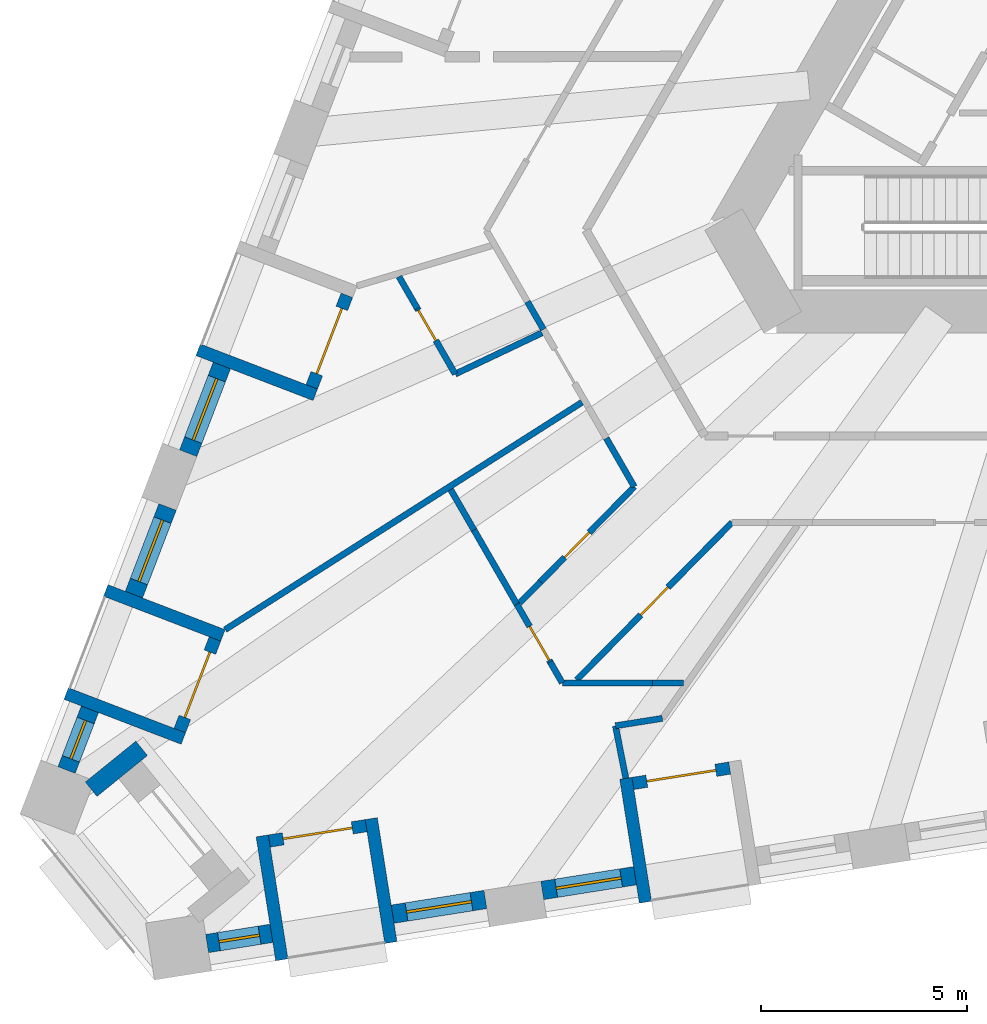
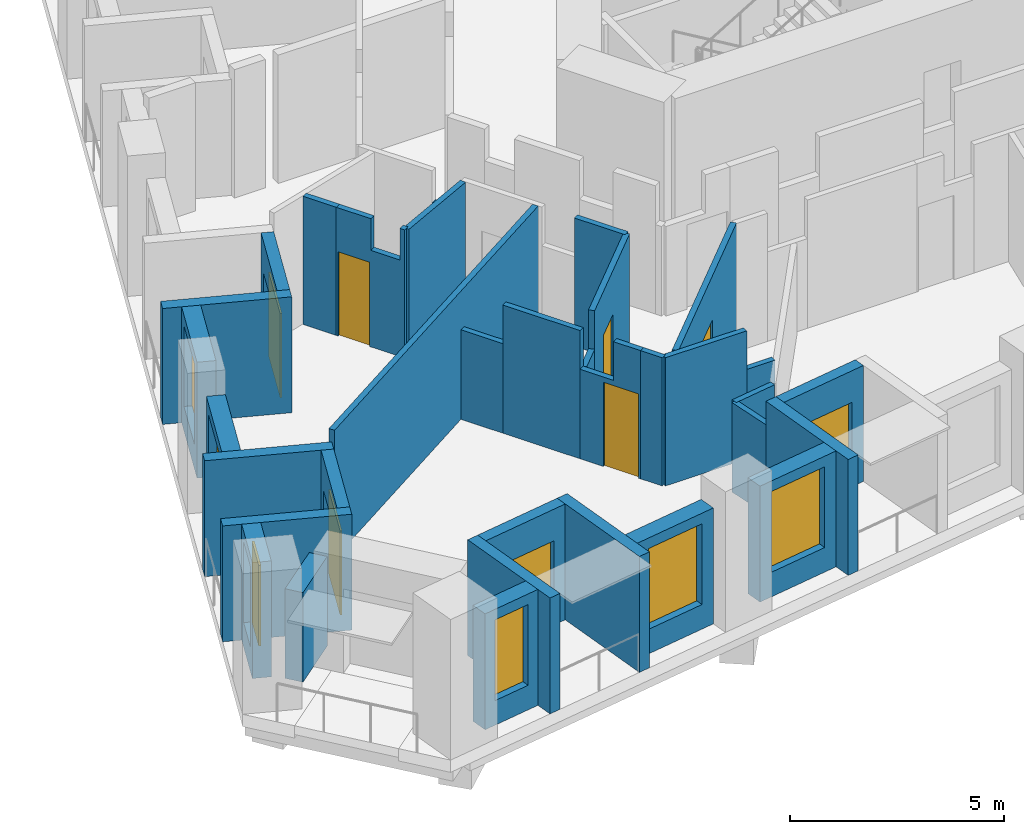
# One storey, part 2 of 14: 34 walls, 8 doors, 6 windows, 14 openings.
"""IFC4 building model written with IfcOpenShell, lengths in metres."""

from ifc_helpers import new_model, si_unit, direction, frame, frame_2d, origin, place, context, subcontext, project, spatial, polyline, rectangle, outline, extrude, material, layer, layer_set, type_object, element, fill, save


model = new_model("IFC4")

# Units and contexts
model_context = context("Model", 3, precision=1e-05, world=origin(), true_north=direction((0.0, 1.0)))
body_context = subcontext(model_context, "Body", "Model", "MODEL_VIEW")
ifc_project = project(units=[si_unit("LENGTHUNIT", "METRE"), si_unit("AREAUNIT", "SQUARE_METRE"), si_unit("VOLUMEUNIT", "CUBIC_METRE"), si_unit("PLANEANGLEUNIT", "RADIAN"), si_unit("MASSUNIT", "GRAM", prefix="KILO")], contexts=[model_context])

# Site, building, storey
site_placement = place(None, origin())
site = spatial("IfcSite", under=ifc_project, at=site_placement, CompositionType="ELEMENT")
building_placement = place(site_placement, origin())
building = spatial("IfcBuilding", under=site, at=building_placement, Name="Tramontana Tower", CompositionType="ELEMENT")
storey_placement = place(building_placement, frame((0.0, 0.0, 71.199951171875)))
storey = spatial("IfcBuildingStorey", under=building, at=storey_placement, Name="L15", CompositionType="ELEMENT", Elevation=71.199951171875)

# Wall, opening, window
ifc_material_1 = material(Name="Precast concrete 60 MPa", Category="concrete")
ifc_layer_1 = layer(ifc_material_1, 0.449951171875)
ifc_layer_set_1 = layer_set([ifc_layer_1], Name="Precast concrete 60 MPa, 450 mm")
wall_type_1 = type_object("IfcWallType", Name="EW1 Stone-faced precast wall 450", PredefinedType="SOLIDWALL", material=ifc_layer_set_1)
wall_1_placement = place(storey_placement, frame((-21.986083984375, -7.536376953125, 0.0), z_axis=(0.0, 0.0, 1.0), x_axis=(-0.358355550725, -0.933585185864, 0.0)))
wall_1 = element("IfcWall", 1, at=wall_1_placement, inside=storey, type_object=wall_type_1, Name="External wall L15 face 0 bay 5", PredefinedType="SOLIDWALL", context=body_context, shape_type="SweptSolid", body=[
    extrude(rectangle(XDim=2.282958984375, YDim=0.449951171875, at=frame_2d((1.1416015625, 0.0))), origin(), (0.0, 0.0, 1.0), 3.300048828125),
])
opening_1_placement = place(wall_1_placement, frame((0.341552734375, 0.0, 0.699951171875)))
opening_1 = element("IfcOpeningElement", 2, at=opening_1_placement, cuts=wall_1, Name="Opening M1", PredefinedType="OPENING", context=body_context, shape_type="SweptSolid", body=[
    extrude(rectangle(XDim=1.60009765625, YDim=2.300048828125, at=frame_2d((0.800048828125, 1.14990234375))), frame((0.0, 0.23486328125, 0.0), z_axis=(0.0, -1.0, 0.0), x_axis=(1.0, 0.0, 0.0)), (0.0, 0.0, 1.0), 0.469970703125),
])
ifc_material_2 = material(Name="Aluminum frame, double glazing unit", Category="aluminium")
window_type_1 = type_object("IfcWindowType", Name="M1 Window 1.6 x 2.3", PartitioningType="SINGLE_PANEL", PredefinedType="WINDOW", material=ifc_material_2)
window_1_placement = place(opening_1_placement, origin())
window_1 = element("IfcWindow", 3, at=window_1_placement, inside=storey, type_object=window_type_1, Name="Window M1 L15 face 0 module 15", OverallHeight=2.300048828125, OverallWidth=1.60009765625, PartitioningType="SINGLE_PANEL", PredefinedType="WINDOW", context=body_context, shape_type="SweptSolid", body=[
    extrude(rectangle(XDim=1.60009765625, YDim=2.300048828125, at=frame_2d((0.800048828125, 1.14990234375))), frame((0.0, 0.030029296875, 0.0), z_axis=(0.0, -1.0, 0.0), x_axis=(1.0, 0.0, 0.0)), (0.0, 0.0, 1.0), 0.06005859375),
])
fill(opening_1, window_1)

wall_2_placement = place(storey_placement, frame((-23.305908203125, -10.974609375, 0.0), z_axis=(0.0, 0.0, 1.0), x_axis=(-0.358355550725, -0.933585185864, 0.0)))
wall_2 = element("IfcWall", 4, at=wall_2_placement, inside=storey, type_object=wall_type_1, Name="External wall L15 face 0 bay 6", PredefinedType="SOLIDWALL", context=body_context, shape_type="SweptSolid", body=[
    extrude(rectangle(XDim=2.282958984375, YDim=0.449951171875, at=frame_2d((1.1416015625, 0.0))), origin(), (0.0, 0.0, 1.0), 3.300048828125),
])
opening_2_placement = place(wall_2_placement, frame((0.341552734375, 0.0, 0.699951171875)))
opening_2 = element("IfcOpeningElement", 5, at=opening_2_placement, cuts=wall_2, Name="Opening M1", PredefinedType="OPENING", context=body_context, shape_type="SweptSolid", body=[
    extrude(rectangle(XDim=1.60009765625, YDim=2.300048828125, at=frame_2d((0.800048828125, 1.14990234375))), frame((0.0, 0.23486328125, 0.0), z_axis=(0.0, -1.0, 0.0), x_axis=(1.0, 0.0, 0.0)), (0.0, 0.0, 1.0), 0.469970703125),
])
window_2_placement = place(opening_2_placement, origin())
window_2 = element("IfcWindow", 6, at=window_2_placement, inside=storey, type_object=window_type_1, Name="Window M1 L15 face 0 module 16", OverallHeight=2.300048828125, OverallWidth=1.60009765625, PartitioningType="SINGLE_PANEL", PredefinedType="WINDOW", context=body_context, shape_type="SweptSolid", body=[
    extrude(rectangle(XDim=1.60009765625, YDim=2.300048828125, at=frame_2d((0.800048828125, 1.14990234375))), frame((0.0, 0.030029296875, 0.0), z_axis=(0.0, -1.0, 0.0), x_axis=(1.0, 0.0, 0.0)), (0.0, 0.0, 1.0), 0.06005859375),
])
fill(opening_2, window_2)

wall_3_placement = place(storey_placement, frame((-25.193115234375, -15.890869140625, 0.0), z_axis=(0.0, 0.0, 1.0), x_axis=(-0.358431261356, -0.933556120907, 0.0)))
wall_3 = element("IfcWall", 7, at=wall_3_placement, inside=storey, type_object=wall_type_1, Name="External wall L15 face 0 bay 6", PredefinedType="SOLIDWALL", context=body_context, shape_type="SweptSolid", body=[
    extrude(rectangle(XDim=1.5830078125, YDim=0.449951171875, at=frame_2d((0.79150390625, 0.0))), origin(), (0.0, 0.0, 1.0), 3.300048828125),
])
opening_3_placement = place(wall_3_placement, frame((0.29150390625, 0.0, 0.699951171875)))
opening_3 = element("IfcOpeningElement", 8, at=opening_3_placement, cuts=wall_3, Name="Opening N1", PredefinedType="OPENING", context=body_context, shape_type="SweptSolid", body=[
    extrude(rectangle(XDim=1.0, YDim=2.300048828125, at=frame_2d((0.5, 1.14990234375))), frame((0.0, 0.23486328125, 0.0), z_axis=(0.0, -1.0, 0.0), x_axis=(1.0, 0.0, 0.0)), (0.0, 0.0, 1.0), 0.469970703125),
])
ifc_material_3 = material(Name="Aluminum frame, double glazing unit", Category="aluminium")
window_type_2 = type_object("IfcWindowType", Name="N1 Window 1 x 2.3", PartitioningType="SINGLE_PANEL", PredefinedType="WINDOW", material=ifc_material_3)
window_3_placement = place(opening_3_placement, origin())
window_3 = element("IfcWindow", 9, at=window_3_placement, inside=storey, type_object=window_type_2, Name="Window N1 L15 face 0 module 18", OverallHeight=2.300048828125, OverallWidth=1.0, PartitioningType="SINGLE_PANEL", PredefinedType="WINDOW", context=body_context, shape_type="SweptSolid", body=[
    extrude(rectangle(XDim=1.0, YDim=2.300048828125, at=frame_2d((0.5, 1.14990234375))), frame((0.0, 0.030029296875, 0.0), z_axis=(0.0, -1.0, 0.0), x_axis=(1.0, 0.0, 0.0)), (0.0, 0.0, 1.0), 0.06005859375),
])
fill(opening_3, window_3)

wall_4_placement = place(storey_placement, frame((-22.344970703125, -21.586181640625, 0.0), z_axis=(0.0, 0.0, 1.0), x_axis=(0.987695344573, 0.156390237257, 0.0)))
wall_4 = element("IfcWall", 10, at=wall_4_placement, inside=storey, type_object=wall_type_1, Name="External wall L15 face 1 bay 1", PredefinedType="SOLIDWALL", context=body_context, shape_type="SweptSolid", body=[
    extrude(rectangle(XDim=1.5830078125, YDim=0.449951171875, at=frame_2d((0.79150390625, 0.0))), origin(), (0.0, 0.0, 1.0), 3.300048828125),
])
opening_4_placement = place(wall_4_placement, frame((0.29150390625, 0.0, 0.699951171875)))
opening_4 = element("IfcOpeningElement", 11, at=opening_4_placement, cuts=wall_4, Name="Opening N1", PredefinedType="OPENING", context=body_context, shape_type="SweptSolid", body=[
    extrude(rectangle(XDim=1.0, YDim=2.300048828125, at=frame_2d((0.5, 1.14990234375))), frame((0.0, 0.23486328125, 0.0), z_axis=(0.0, -1.0, 0.0), x_axis=(1.0, 0.0, 0.0)), (0.0, 0.0, 1.0), 0.469970703125),
])
window_4_placement = place(opening_4_placement, origin())
window_4 = element("IfcWindow", 12, at=window_4_placement, inside=storey, type_object=window_type_2, Name="Window N1 L15 face 1 module 1", OverallHeight=2.300048828125, OverallWidth=1.0, PartitioningType="SINGLE_PANEL", PredefinedType="WINDOW", context=body_context, shape_type="SweptSolid", body=[
    extrude(rectangle(XDim=1.0, YDim=2.300048828125, at=frame_2d((0.5, 1.14990234375))), frame((0.0, 0.030029296875, 0.0), z_axis=(0.0, -1.0, 0.0), x_axis=(1.0, 0.0, 0.0)), (0.0, 0.0, 1.0), 0.06005859375),
])
fill(opening_4, window_4)

wall_5_placement = place(storey_placement, frame((-17.835205078125, -20.8720703125, 0.0), z_axis=(0.0, 0.0, 1.0), x_axis=(0.987685675151, 0.156451293065, 0.0)))
wall_5 = element("IfcWall", 13, at=wall_5_placement, inside=storey, type_object=wall_type_1, Name="External wall L15 face 1 bay 1", PredefinedType="SOLIDWALL", context=body_context, shape_type="SweptSolid", body=[
    extrude(rectangle(XDim=2.282958984375, YDim=0.449951171875, at=frame_2d((1.1416015625, 0.0))), origin(), (0.0, 0.0, 1.0), 3.300048828125),
])
opening_5_placement = place(wall_5_placement, frame((0.341552734375, 0.0, 0.699951171875)))
opening_5 = element("IfcOpeningElement", 14, at=opening_5_placement, cuts=wall_5, Name="Opening M1", PredefinedType="OPENING", context=body_context, shape_type="SweptSolid", body=[
    extrude(rectangle(XDim=1.60009765625, YDim=2.300048828125, at=frame_2d((0.800048828125, 1.14990234375))), frame((0.0, 0.23486328125, 0.0), z_axis=(0.0, -1.0, 0.0), x_axis=(1.0, 0.0, 0.0)), (0.0, 0.0, 1.0), 0.469970703125),
])
window_5_placement = place(opening_5_placement, origin())
window_5 = element("IfcWindow", 15, at=window_5_placement, inside=storey, type_object=window_type_1, Name="Window M1 L15 face 1 module 3", OverallHeight=2.300048828125, OverallWidth=1.60009765625, PartitioningType="SINGLE_PANEL", PredefinedType="WINDOW", context=body_context, shape_type="SweptSolid", body=[
    extrude(rectangle(XDim=1.60009765625, YDim=2.300048828125, at=frame_2d((0.800048828125, 1.14990234375))), frame((0.0, 0.030029296875, 0.0), z_axis=(0.0, -1.0, 0.0), x_axis=(1.0, 0.0, 0.0)), (0.0, 0.0, 1.0), 0.06005859375),
])
fill(opening_5, window_5)

wall_6_placement = place(storey_placement, frame((-14.19775390625, -20.2958984375, 0.0), z_axis=(0.0, 0.0, 1.0), x_axis=(0.987685675151, 0.156451293065, 0.0)))
wall_6 = element("IfcWall", 16, at=wall_6_placement, inside=storey, type_object=wall_type_1, Name="External wall L15 face 1 bay 2", PredefinedType="SOLIDWALL", context=body_context, shape_type="SweptSolid", body=[
    extrude(rectangle(XDim=2.282958984375, YDim=0.449951171875, at=frame_2d((1.1416015625, 0.0))), origin(), (0.0, 0.0, 1.0), 3.300048828125),
])
opening_6_placement = place(wall_6_placement, frame((0.341552734375, 0.0, 0.699951171875)))
opening_6 = element("IfcOpeningElement", 17, at=opening_6_placement, cuts=wall_6, Name="Opening M1", PredefinedType="OPENING", context=body_context, shape_type="SweptSolid", body=[
    extrude(rectangle(XDim=1.60009765625, YDim=2.300048828125, at=frame_2d((0.800048828125, 1.14990234375))), frame((0.0, 0.23486328125, 0.0), z_axis=(0.0, -1.0, 0.0), x_axis=(1.0, 0.0, 0.0)), (0.0, 0.0, 1.0), 0.469970703125),
])
window_6_placement = place(opening_6_placement, origin())
window_6 = element("IfcWindow", 18, at=window_6_placement, inside=storey, type_object=window_type_1, Name="Window M1 L15 face 1 module 4", OverallHeight=2.300048828125, OverallWidth=1.60009765625, PartitioningType="SINGLE_PANEL", PredefinedType="WINDOW", context=body_context, shape_type="SweptSolid", body=[
    extrude(rectangle(XDim=1.60009765625, YDim=2.300048828125, at=frame_2d((0.800048828125, 1.14990234375))), frame((0.0, 0.030029296875, 0.0), z_axis=(0.0, -1.0, 0.0), x_axis=(1.0, 0.0, 0.0)), (0.0, 0.0, 1.0), 0.06005859375),
])
fill(opening_6, window_6)

# Wall
wall_7_placement = place(storey_placement, frame((-25.162841796875, -17.835205078125, 0.0), z_axis=(0.0, 0.0, 1.0), x_axis=(0.777129655516, 0.629340526677, 0.0)))
element("IfcWall", 19, at=wall_7_placement, inside=storey, type_object=wall_type_1, Name="Corner loggia side wall L15 K11r", PredefinedType="SOLIDWALL", context=body_context, shape_type="SweptSolid", body=[
    extrude(rectangle(XDim=1.579345703125, YDim=0.449951171875, at=frame_2d((0.78955078125, 0.0))), origin(), (0.0, 0.0, 1.0), 2.550048828125),
])

# Wall, opening, door
ifc_material_4 = material(Name="Precast concrete 60 MPa", Category="concrete")
ifc_layer_2 = layer(ifc_material_4, 0.300048828125)
ifc_layer_set_2 = layer_set([ifc_layer_2], Name="LW1 Stone-faced loggia wall 300")
wall_type_2 = type_object("IfcWallType", Name="LW1 Stone-faced loggia wall 300", PredefinedType="SOLIDWALL", material=ifc_layer_set_2)
wall_8_placement = place(storey_placement, frame((-18.947265625, -5.828857421875, 0.0), z_axis=(0.0, 0.0, 1.0), x_axis=(-0.358354292693, -0.933585668757, 0.0)))
wall_8 = element("IfcWall", 20, at=wall_8_placement, inside=storey, type_object=wall_type_2, Name="Loggia wall L15 G1S0.13", PredefinedType="SOLIDWALL", context=body_context, shape_type="SweptSolid", body=[
    extrude(rectangle(XDim=2.383056640625, YDim=0.300048828125, at=frame_2d((1.19140625, 0.0))), origin(), (0.0, 0.0, 1.0), 3.300048828125),
])
opening_7_placement = place(wall_8_placement, frame((0.341552734375, 0.0, 0.0)))
opening_7 = element("IfcOpeningElement", 21, at=opening_7_placement, cuts=wall_8, Name="Opening BD-1S0-13", PredefinedType="OPENING", context=body_context, shape_type="SweptSolid", body=[
    extrude(rectangle(XDim=1.699951171875, YDim=2.39990234375, at=frame_2d((0.85009765625, 1.199951171875))), frame((0.0, 0.159912109375, 0.0), z_axis=(0.0, -1.0, 0.0), x_axis=(1.0, 0.0, 0.0)), (0.0, 0.0, 1.0), 0.320068359375),
])
ifc_material_5 = material(Name="Aluminum frame, double glazing unit", Category="aluminium")
door_type_1 = type_object("IfcDoorType", Name="BD1 Sliding door 1.7 x 2.4", OperationType="SLIDING_TO_LEFT", PredefinedType="DOOR", material=ifc_material_5)
door_1_placement = place(opening_7_placement, origin())
door_1 = element("IfcDoor", 22, at=door_1_placement, inside=storey, type_object=door_type_1, Name="Loggia door L15 G1S0.13", OperationType="SLIDING_TO_LEFT", OverallHeight=2.39990234375, OverallWidth=1.699951171875, PredefinedType="DOOR", context=body_context, shape_type="SweptSolid", body=[
    extrude(rectangle(XDim=1.699951171875, YDim=2.39990234375, at=frame_2d((0.85009765625, 1.199951171875))), frame((0.0, 0.02490234375, 0.0), z_axis=(0.0, -1.0, 0.0), x_axis=(1.0, 0.0, 0.0)), (0.0, 0.0, 1.0), 0.050048828125),
])
fill(opening_7, door_1)

# Wall
wall_9_placement = place(storey_placement, frame((-22.5625, -7.154296875, 0.0), z_axis=(0.0, 0.0, 1.0), x_axis=(0.933580593625, -0.358367514161, 0.0)))
element("IfcWall", 23, at=wall_9_placement, inside=storey, type_object=wall_type_2, Name="Loggia return L15 G1S0.13b", PredefinedType="SOLIDWALL", context=body_context, shape_type="SweptSolid", body=[
    extrude(rectangle(XDim=3.050048828125, YDim=0.300048828125, at=frame_2d((1.52490234375, 0.0))), origin(), (0.0, 0.0, 1.0), 3.300048828125),
])

# Wall, opening, door
wall_10_placement = place(storey_placement, frame((-22.154296875, -14.18359375, 0.0), z_axis=(0.0, 0.0, 1.0), x_axis=(-0.35838856932, -0.933572511046, 0.0)))
wall_10 = element("IfcWall", 24, at=wall_10_placement, inside=storey, type_object=wall_type_2, Name="Loggia wall L15 G1S0.16", PredefinedType="SOLIDWALL", context=body_context, shape_type="SweptSolid", body=[
    extrude(rectangle(XDim=2.3828125, YDim=0.300048828125, at=frame_2d((1.19140625, 0.0))), origin(), (0.0, 0.0, 1.0), 3.300048828125),
])
opening_8_placement = place(wall_10_placement, frame((0.341552734375, 0.0, 0.0)))
opening_8 = element("IfcOpeningElement", 25, at=opening_8_placement, cuts=wall_10, Name="Opening BD-1S0-16", PredefinedType="OPENING", context=body_context, shape_type="SweptSolid", body=[
    extrude(rectangle(XDim=1.699951171875, YDim=2.39990234375, at=frame_2d((0.85009765625, 1.199951171875))), frame((0.0, 0.159912109375, 0.0), z_axis=(0.0, -1.0, 0.0), x_axis=(1.0, 0.0, 0.0)), (0.0, 0.0, 1.0), 0.320068359375),
])
door_2_placement = place(opening_8_placement, origin())
door_2 = element("IfcDoor", 26, at=door_2_placement, inside=storey, type_object=door_type_1, Name="Loggia door L15 G1S0.16", OperationType="SLIDING_TO_LEFT", OverallHeight=2.39990234375, OverallWidth=1.699951171875, PredefinedType="DOOR", context=body_context, shape_type="SweptSolid", body=[
    extrude(rectangle(XDim=1.699951171875, YDim=2.39990234375, at=frame_2d((0.85009765625, 1.199951171875))), frame((0.0, 0.02490234375, 0.0), z_axis=(0.0, -1.0, 0.0), x_axis=(1.0, 0.0, 0.0)), (0.0, 0.0, 1.0), 0.050048828125),
])
fill(opening_8, door_2)

# Walls
for number, where, z_axis, x_axis, name in (
    (27, (-24.80810546875, -13.004150390625, 0.0), (0.0, 0.0, 1.0), (0.933580593625, -0.358367514161, 0.0), "Loggia return L15 G1S0.16a"),
    (28, (-25.76953125, -15.509033203125, 0.0), (0.0, 0.0, 1.0), (0.933580593625, -0.358367514161, 0.0), "Loggia return L15 G1S0.16b"),
):
    element("IfcWall", number, at=place(storey_placement, frame(where, z_axis=z_axis, x_axis=x_axis)), inside=storey, type_object=wall_type_2, Name=name, PredefinedType="SOLIDWALL", context=body_context, shape_type="SweptSolid", body=[
        extrude(rectangle(XDim=3.050048828125, YDim=0.300048828125, at=frame_2d((1.52490234375, 0.0))), origin(), (0.0, 0.0, 1.0), 3.300048828125),
    ])

# Wall, opening, door
wall_11_placement = place(storey_placement, frame((-20.833251953125, -19.09423828125, 0.0), z_axis=(0.0, 0.0, 1.0), x_axis=(0.987685586014, 0.156451855793, 0.0)))
wall_11 = element("IfcWall", 29, at=wall_11_placement, inside=storey, type_object=wall_type_2, Name="Loggia wall L15 G1S1.1", PredefinedType="SOLIDWALL", context=body_context, shape_type="SweptSolid", body=[
    extrude(rectangle(XDim=2.3828125, YDim=0.300048828125, at=frame_2d((1.19140625, 0.0))), origin(), (0.0, 0.0, 1.0), 3.300048828125),
])
opening_9_placement = place(wall_11_placement, frame((0.341552734375, 0.0, 0.0)))
opening_9 = element("IfcOpeningElement", 30, at=opening_9_placement, cuts=wall_11, Name="Opening BD-1S1-01", PredefinedType="OPENING", context=body_context, shape_type="SweptSolid", body=[
    extrude(rectangle(XDim=1.699951171875, YDim=2.39990234375, at=frame_2d((0.85009765625, 1.199951171875))), frame((0.0, 0.159912109375, 0.0), z_axis=(0.0, -1.0, 0.0), x_axis=(1.0, 0.0, 0.0)), (0.0, 0.0, 1.0), 0.320068359375),
])
door_3_placement = place(opening_9_placement, origin())
door_3 = element("IfcDoor", 31, at=door_3_placement, inside=storey, type_object=door_type_1, Name="Loggia door L15 G1S1.1", OperationType="SLIDING_TO_LEFT", OverallHeight=2.39990234375, OverallWidth=1.699951171875, PredefinedType="DOOR", context=body_context, shape_type="SweptSolid", body=[
    extrude(rectangle(XDim=1.699951171875, YDim=2.39990234375, at=frame_2d((0.85009765625, 1.199951171875))), frame((0.0, 0.02490234375, 0.0), z_axis=(0.0, -1.0, 0.0), x_axis=(1.0, 0.0, 0.0)), (0.0, 0.0, 1.0), 0.050048828125),
])
fill(opening_9, door_3)

# Walls
for number, where, z_axis, x_axis, name in (
    (32, (-20.52783203125, -21.98193359375, 0.0), (0.0, 0.0, 1.0), (-0.156410600741, 0.987692120033, 0.0), "Loggia return L15 G1S1.1a"),
    (33, (-17.8779296875, -21.562255859375, 0.0), (0.0, 0.0, 1.0), (-0.156410600741, 0.987692120033, 0.0), "Loggia return L15 G1S1.1b"),
):
    element("IfcWall", number, at=place(storey_placement, frame(where, z_axis=z_axis, x_axis=x_axis)), inside=storey, type_object=wall_type_2, Name=name, PredefinedType="SOLIDWALL", context=body_context, shape_type="SweptSolid", body=[
        extrude(rectangle(XDim=3.050048828125, YDim=0.300048828125, at=frame_2d((1.52490234375, 0.0))), origin(), (0.0, 0.0, 1.0), 3.300048828125),
    ])

# Wall, opening, door
wall_12_placement = place(storey_placement, frame((-11.99462890625, -17.694091796875, 0.0), z_axis=(0.0, 0.0, 1.0), x_axis=(0.98770391772, 0.156336083232, 0.0)))
wall_12 = element("IfcWall", 34, at=wall_12_placement, inside=storey, type_object=wall_type_2, Name="Loggia wall L15 G1S1.4", PredefinedType="SOLIDWALL", context=body_context, shape_type="SweptSolid", body=[
    extrude(rectangle(XDim=2.383056640625, YDim=0.300048828125, at=frame_2d((1.19140625, 0.0))), origin(), (0.0, 0.0, 1.0), 3.300048828125),
])
opening_10_placement = place(wall_12_placement, frame((0.341552734375, 0.0, 0.0)))
opening_10 = element("IfcOpeningElement", 35, at=opening_10_placement, cuts=wall_12, Name="Opening BD-1S1-04", PredefinedType="OPENING", context=body_context, shape_type="SweptSolid", body=[
    extrude(rectangle(XDim=1.699951171875, YDim=2.39990234375, at=frame_2d((0.85009765625, 1.199951171875))), frame((0.0, 0.159912109375, 0.0), z_axis=(0.0, -1.0, 0.0), x_axis=(1.0, 0.0, 0.0)), (0.0, 0.0, 1.0), 0.320068359375),
])
door_4_placement = place(opening_10_placement, origin())
door_4 = element("IfcDoor", 36, at=door_4_placement, inside=storey, type_object=door_type_1, Name="Loggia door L15 G1S1.4", OperationType="SLIDING_TO_LEFT", OverallHeight=2.39990234375, OverallWidth=1.699951171875, PredefinedType="DOOR", context=body_context, shape_type="SweptSolid", body=[
    extrude(rectangle(XDim=1.699951171875, YDim=2.39990234375, at=frame_2d((0.85009765625, 1.199951171875))), frame((0.0, 0.02490234375, 0.0), z_axis=(0.0, -1.0, 0.0), x_axis=(1.0, 0.0, 0.0)), (0.0, 0.0, 1.0), 0.050048828125),
])
fill(opening_10, door_4)

# Walls
wall_13_placement = place(storey_placement, frame((-11.68896484375, -20.58203125, 0.0), z_axis=(0.0, 0.0, 1.0), x_axis=(-0.156488687365, 0.987679751097, 0.0)))
element("IfcWall", 37, at=wall_13_placement, inside=storey, type_object=wall_type_2, Name="Loggia return L15 G1S1.4a", PredefinedType="SOLIDWALL", context=body_context, shape_type="SweptSolid", body=[
    extrude(rectangle(XDim=3.050048828125, YDim=0.300048828125, at=frame_2d((1.52490234375, 0.0))), origin(), (0.0, 0.0, 1.0), 3.300048828125),
])
ifc_material_6 = material(Name="Gypsum board partition")
ifc_layer_3 = layer(ifc_material_6, 0.14990234375)
ifc_layer_set_3 = layer_set([ifc_layer_3], Name="PARTITION 150")
wall_type_3 = type_object("IfcWallType", Name="PARTITION 150", PredefinedType="PARTITIONING", material=ifc_layer_set_3)
wall_14_placement = place(storey_placement, frame((-21.90673828125, -13.95703125, 0.0), z_axis=(0.0, 0.0, 1.0), x_axis=(0.843381833226, 0.537314696789, 0.0)))
element("IfcWall", 38, at=wall_14_placement, inside=storey, type_object=wall_type_3, Name="Wall v11-pw00", PredefinedType="PARTITIONING", context=body_context, shape_type="SweptSolid", body=[
    extrude(rectangle(XDim=10.28515625, YDim=0.14990234375, at=frame_2d((5.142578125, 0.0))), origin(), (0.0, 0.0, 1.0), 3.650146484375),
])

# Wall, opening, door
wall_15_placement = place(storey_placement, frame((-17.23486328125, -6.1484375, 0.0), z_axis=(0.0, 0.0, 1.0), x_axis=(0.500001589341, -0.866024486176, 0.0)))
wall_15 = element("IfcWall", 39, at=wall_15_placement, inside=storey, type_object=wall_type_3, Name="Wall v11-pw03-0", PredefinedType="PARTITIONING", context=body_context, shape_type="SweptSolid", body=[
    extrude(outline(polyline([(0.0, 0.0), (1.84228515625, 0.0), (1.84228515625, 3.650146484375), (1.713623046875, 3.650146484375), (1.713623046875, 2.75), (0.93408203125, 2.75), (0.93408203125, 3.650146484375), (0.0, 3.650146484375), (0.0, 0.0)])), frame((0.0, 0.074951171875, 0.0), z_axis=(0.0, -1.0, 0.0), x_axis=(1.0, 0.0, 0.0)), (0.0, 0.0, 1.0), 0.14990234375),
])
opening_11_placement = place(wall_15_placement, frame((0.050048828125, 0.0, 0.0)))
opening_11 = element("IfcOpeningElement", 40, at=opening_11_placement, cuts=wall_15, Name="Opening B1B-18", PredefinedType="OPENING", context=body_context, shape_type="SweptSolid", body=[
    extrude(rectangle(XDim=0.85009765625, YDim=2.39990234375, at=frame_2d((0.425048828125, 1.199951171875))), frame((0.0, 0.0849609375, 0.0), z_axis=(0.0, -1.0, 0.0), x_axis=(1.0, 0.0, 0.0)), (0.0, 0.0, 1.0), 0.169921875),
])
ifc_material_7 = material(Name="Painted timber", Category="wood")
door_type_2 = type_object("IfcDoorType", Name="DOOR BATH 850", OperationType="SINGLE_SWING_LEFT", PredefinedType="DOOR", material=ifc_material_7)
door_5_placement = place(opening_11_placement, origin())
door_5 = element("IfcDoor", 41, at=door_5_placement, inside=storey, type_object=door_type_2, Name="Door B1B-18", OperationType="SINGLE_SWING_RIGHT", OverallHeight=2.39990234375, OverallWidth=0.85009765625, PredefinedType="DOOR", context=body_context, shape_type="SweptSolid", body=[
    extrude(rectangle(XDim=0.85009765625, YDim=2.39990234375, at=frame_2d((0.425048828125, 1.199951171875))), frame((0.0, 0.02490234375, 0.0), z_axis=(0.0, -1.0, 0.0), x_axis=(1.0, 0.0, 0.0)), (0.0, 0.0, 1.0), 0.050048828125),
])
fill(opening_11, door_5)

# Walls
wall_16_placement = place(storey_placement, frame((-17.23486328125, -6.1484375, 0.0), z_axis=(0.0, 0.0, 1.0), x_axis=(-0.499935638681, 0.86606255962, 0.0)))
element("IfcWall", 42, at=wall_16_placement, inside=storey, type_object=wall_type_3, Name="Wall v11-pw03-1", PredefinedType="PARTITIONING", context=body_context, shape_type="SweptSolid", body=[
    extrude(rectangle(XDim=0.89208984375, YDim=0.14990234375, at=frame_2d((0.446044921875, 0.0))), origin(), (0.0, 0.0, 1.0), 3.650146484375),
])
wall_17_placement = place(storey_placement, frame((-14.7470703125, -13.307373046875, 0.0), z_axis=(0.0, 0.0, 1.0), x_axis=(0.702386148925, 0.711796106901, 0.0)))
element("IfcWall", 43, at=wall_17_placement, inside=storey, type_object=wall_type_3, Name="Wall v11-pw06-0", PredefinedType="PARTITIONING", context=body_context, shape_type="SweptSolid", body=[
    extrude(rectangle(XDim=0.7265625, YDim=0.14990234375, at=frame_2d((0.36328125, 0.0))), origin(), (0.0, 0.0, 1.0), 2.550048828125),
])

# Wall, opening, door
wall_18_placement = place(storey_placement, frame((-14.23681640625, -12.790283203125, 0.0), z_axis=(0.0, 0.0, 1.0), x_axis=(0.702344771422, 0.711836935018, 0.0)))
wall_18 = element("IfcWall", 44, at=wall_18_placement, inside=storey, type_object=wall_type_3, Name="Wall v11-pw06-1", PredefinedType="PARTITIONING", context=body_context, shape_type="SweptSolid", body=[
    extrude(rectangle(XDim=3.24072265625, YDim=0.14990234375, at=frame_2d((1.620361328125, 0.0))), origin(), (0.0, 0.0, 1.0), 3.650146484375),
])
opening_12_placement = place(wall_18_placement, frame((0.832275390625, 0.0, 0.0)))
opening_12 = element("IfcOpeningElement", 45, at=opening_12_placement, cuts=wall_18, Name="Opening B1B-13", PredefinedType="OPENING", context=body_context, shape_type="SweptSolid", body=[
    extrude(rectangle(XDim=0.85009765625, YDim=2.39990234375, at=frame_2d((0.425048828125, 1.199951171875))), frame((0.0, 0.0849609375, 0.0), z_axis=(0.0, -1.0, 0.0), x_axis=(1.0, 0.0, 0.0)), (0.0, 0.0, 1.0), 0.169921875),
])
door_6_placement = place(opening_12_placement, origin())
door_6 = element("IfcDoor", 46, at=door_6_placement, inside=storey, type_object=door_type_2, Name="Door B1B-13", OperationType="SINGLE_SWING_LEFT", OverallHeight=2.39990234375, OverallWidth=0.85009765625, PredefinedType="DOOR", context=body_context, shape_type="SweptSolid", body=[
    extrude(rectangle(XDim=0.85009765625, YDim=2.39990234375, at=frame_2d((0.425048828125, 1.199951171875))), frame((0.0, 0.02490234375, 0.0), z_axis=(0.0, -1.0, 0.0), x_axis=(1.0, 0.0, 0.0)), (0.0, 0.0, 1.0), 0.050048828125),
])
fill(opening_12, door_6)

# Walls
wall_19_placement = place(storey_placement, frame((-14.20654296875, -6.74365234375, 0.0), z_axis=(0.0, 0.0, 1.0), x_axis=(-0.903388013423, -0.428824086548, 0.0)))
element("IfcWall", 47, at=wall_19_placement, inside=storey, type_object=wall_type_3, Name="Wall v11-pw07", PredefinedType="PARTITIONING", context=body_context, shape_type="SweptSolid", body=[
    extrude(rectangle(XDim=2.33251953125, YDim=0.14990234375, at=frame_2d((1.166259765625, 0.0))), origin(), (0.0, 0.0, 1.0), 3.650146484375),
])
wall_20_placement = place(storey_placement, frame((-13.712158203125, -15.25, 0.0), z_axis=(0.0, 0.0, 1.0), x_axis=(-0.499867053809, 0.866102146699, 0.0)))
element("IfcWall", 48, at=wall_20_placement, inside=storey, type_object=wall_type_3, Name="Wall v11-pw08-0", PredefinedType="PARTITIONING", context=body_context, shape_type="SweptSolid", body=[
    extrude(rectangle(XDim=0.584716796875, YDim=0.14990234375, at=frame_2d((0.29248046875, 0.0))), origin(), (0.0, 0.0, 1.0), 3.650146484375),
])

# Wall, opening, door
wall_21_placement = place(storey_placement, frame((-14.00439453125, -14.74365234375, 0.0), z_axis=(0.0, 0.0, 1.0), x_axis=(-0.499999813892, 0.866025511234, 0.0)))
wall_21 = element("IfcWall", 49, at=wall_21_placement, inside=storey, type_object=wall_type_3, Name="Wall v11-pw08-1", PredefinedType="PARTITIONING", context=body_context, shape_type="SweptSolid", body=[
    extrude(outline(polyline([(0.0, 0.0), (1.62548828125, 0.0), (1.62548828125, 2.550048828125), (0.7265625, 2.550048828125), (0.7265625, 3.650146484375), (0.0, 3.650146484375), (0.0, 0.0)])), frame((0.0, 0.074951171875, 0.0), z_axis=(0.0, -1.0, 0.0), x_axis=(1.0, 0.0, 0.0)), (0.0, 0.0, 1.0), 0.14990234375),
])
opening_13_placement = place(wall_21_placement, frame((0.050048828125, 0.0, 0.0)))
opening_13 = element("IfcOpeningElement", 50, at=opening_13_placement, cuts=wall_21, Name="Opening B1B-14", PredefinedType="OPENING", context=body_context, shape_type="SweptSolid", body=[
    extrude(rectangle(XDim=0.949951171875, YDim=2.39990234375, at=frame_2d((0.47509765625, 1.199951171875))), frame((0.0, 0.0849609375, 0.0), z_axis=(0.0, -1.0, 0.0), x_axis=(1.0, 0.0, 0.0)), (0.0, 0.0, 1.0), 0.169921875),
])
ifc_material_8 = material(Name="Painted timber", Category="wood")
door_type_3 = type_object("IfcDoorType", Name="DOOR ROOM 950", OperationType="SINGLE_SWING_LEFT", PredefinedType="DOOR", material=ifc_material_8)
door_7_placement = place(opening_13_placement, origin())
door_7 = element("IfcDoor", 51, at=door_7_placement, inside=storey, type_object=door_type_3, Name="Door B1B-14", OperationType="SINGLE_SWING_RIGHT", OverallHeight=2.39990234375, OverallWidth=0.949951171875, PredefinedType="DOOR", context=body_context, shape_type="SweptSolid", body=[
    extrude(rectangle(XDim=0.949951171875, YDim=2.39990234375, at=frame_2d((0.47509765625, 1.199951171875))), frame((0.0, 0.02490234375, 0.0), z_axis=(0.0, -1.0, 0.0), x_axis=(1.0, 0.0, 0.0)), (0.0, 0.0, 1.0), 0.050048828125),
])
fill(opening_13, door_7)

# Walls
wall_22_placement = place(storey_placement, frame((-14.817138671875, -13.3359375, 0.0), z_axis=(0.0, 0.0, 1.0), x_axis=(-0.500027264788, 0.866009661879, 0.0)))
element("IfcWall", 52, at=wall_22_placement, inside=storey, type_object=wall_type_3, Name="Wall v11-pw08-2", PredefinedType="PARTITIONING", context=body_context, shape_type="SweptSolid", body=[
    extrude(rectangle(XDim=2.080078125, YDim=0.14990234375, at=frame_2d((1.0400390625, 0.0))), origin(), (0.0, 0.0, 1.0), 3.650146484375),
])
wall_23_placement = place(storey_placement, frame((-15.857177734375, -11.53466796875, 0.0), z_axis=(0.0, 0.0, 1.0), x_axis=(-0.499915118794, 0.866074404425, 0.0)))
element("IfcWall", 53, at=wall_23_placement, inside=storey, type_object=wall_type_3, Name="Wall v11-pw08-3", PredefinedType="PARTITIONING", context=body_context, shape_type="SweptSolid", body=[
    extrude(rectangle(XDim=1.133544921875, YDim=0.14990234375, at=frame_2d((0.56689453125, 0.0))), origin(), (0.0, 0.0, 1.0), 2.550048828125),
])
wall_24_placement = place(storey_placement, frame((-12.4189453125, -16.295166015625, 0.0), z_axis=(0.0, 0.0, 1.0), x_axis=(0.19448969742, -0.980904560902, 0.0)))
element("IfcWall", 54, at=wall_24_placement, inside=storey, type_object=wall_type_3, Name="Wall v11-pw09-0", PredefinedType="PARTITIONING", context=body_context, shape_type="SweptSolid", body=[
    extrude(rectangle(XDim=1.29931640625, YDim=0.14990234375, at=frame_2d((0.649658203125, 0.0))), origin(), (0.0, 0.0, 1.0), 2.550048828125),
])
wall_25_placement = place(storey_placement, frame((-11.960693359375, -10.4833984375, 0.0), z_axis=(0.0, 0.0, 1.0), x_axis=(-0.500032730183, 0.86600650618, 0.0)))
element("IfcWall", 55, at=wall_25_placement, inside=storey, type_object=wall_type_3, Name="Wall v11-pw11-0", PredefinedType="PARTITIONING", context=body_context, shape_type="SweptSolid", body=[
    extrude(rectangle(XDim=1.3623046875, YDim=0.14990234375, at=frame_2d((0.68115234375, 0.0))), origin(), (0.0, 0.0, 1.0), 3.650146484375),
])
wall_26_placement = place(storey_placement, frame((-14.168212890625, -6.659912109375, 0.0), z_axis=(0.0, 0.0, 1.0), x_axis=(-0.500011542666, 0.866018739521, 0.0)))
element("IfcWall", 56, at=wall_26_placement, inside=storey, type_object=wall_type_3, Name="Wall v11-pw11-3", PredefinedType="PARTITIONING", context=body_context, shape_type="SweptSolid", body=[
    extrude(rectangle(XDim=0.77978515625, YDim=0.14990234375, at=frame_2d((0.389892578125, 0.0))), origin(), (0.0, 0.0, 1.0), 2.75),
])
wall_27_placement = place(storey_placement, frame((-11.278076171875, -16.112548828125, 0.0), z_axis=(0.0, 0.0, 1.0), x_axis=(-0.987689053529, -0.156429963686, 0.0)))
element("IfcWall", 57, at=wall_27_placement, inside=storey, type_object=wall_type_3, Name="Wall v11-pw12-0", PredefinedType="PARTITIONING", context=body_context, shape_type="SweptSolid", body=[
    extrude(rectangle(XDim=1.1533203125, YDim=0.14990234375, at=frame_2d((0.57666015625, 0.0))), origin(), (0.0, 0.0, 1.0), 2.550048828125),
])
wall_28_placement = place(storey_placement, frame((-10.76611328125, -15.25, 0.0), z_axis=(0.0, 0.0, 1.0), x_axis=(-1.0, 0.0, 0.0)))
element("IfcWall", 58, at=wall_28_placement, inside=storey, type_object=wall_type_3, Name="Wall v11-pw17-0", PredefinedType="PARTITIONING", context=body_context, shape_type="SweptSolid", body=[
    extrude(rectangle(XDim=0.75439453125, YDim=0.14990234375, at=frame_2d((0.377197265625, 0.0))), origin(), (0.0, 0.0, 1.0), 2.550048828125),
])
wall_29_placement = place(storey_placement, frame((-11.5205078125, -15.25, 0.0), z_axis=(0.0, 0.0, 1.0), x_axis=(-1.0, 0.0, 0.0)))
element("IfcWall", 59, at=wall_29_placement, inside=storey, type_object=wall_type_3, Name="Wall v11-pw17-1", PredefinedType="PARTITIONING", context=body_context, shape_type="SweptSolid", body=[
    extrude(rectangle(XDim=2.191650390625, YDim=0.14990234375, at=frame_2d((1.095703125, 0.0))), origin(), (0.0, 0.0, 1.0), 3.650146484375),
])

# Wall, opening, door
wall_30_placement = place(storey_placement, frame((-9.58447265625, -11.35009765625, 0.0), z_axis=(0.0, 0.0, 1.0), x_axis=(-0.702388865943, -0.711793425791, 0.0)))
wall_30 = element("IfcWall", 60, at=wall_30_placement, inside=storey, type_object=wall_type_3, Name="Wall v11-pw19", PredefinedType="PARTITIONING", context=body_context, shape_type="SweptSolid", body=[
    extrude(rectangle(XDim=5.373779296875, YDim=0.14990234375, at=frame_2d((2.68701171875, 0.0))), origin(), (0.0, 0.0, 1.0), 3.650146484375),
])
opening_14_placement = place(wall_30_placement, frame((2.2119140625, 0.0, 0.0)))
opening_14 = element("IfcOpeningElement", 61, at=opening_14_placement, cuts=wall_30, Name="Opening B1B-12", PredefinedType="OPENING", context=body_context, shape_type="SweptSolid", body=[
    extrude(rectangle(XDim=0.949951171875, YDim=2.39990234375, at=frame_2d((0.47509765625, 1.199951171875))), frame((0.0, 0.0849609375, 0.0), z_axis=(0.0, -1.0, 0.0), x_axis=(1.0, 0.0, 0.0)), (0.0, 0.0, 1.0), 0.169921875),
])
door_8_placement = place(opening_14_placement, origin())
door_8 = element("IfcDoor", 62, at=door_8_placement, inside=storey, type_object=door_type_3, Name="Door B1B-12", OperationType="SINGLE_SWING_RIGHT", OverallHeight=2.39990234375, OverallWidth=0.949951171875, PredefinedType="DOOR", context=body_context, shape_type="SweptSolid", body=[
    extrude(rectangle(XDim=0.949951171875, YDim=2.39990234375, at=frame_2d((0.47509765625, 1.199951171875))), frame((0.0, 0.02490234375, 0.0), z_axis=(0.0, -1.0, 0.0), x_axis=(1.0, 0.0, 0.0)), (0.0, 0.0, 1.0), 0.050048828125),
])
fill(opening_14, door_8)

save(model, "model.ifc")
